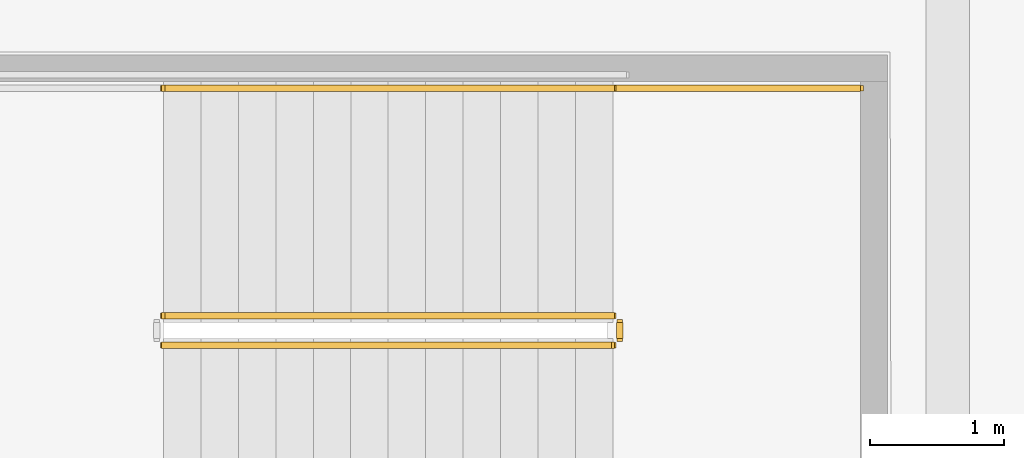
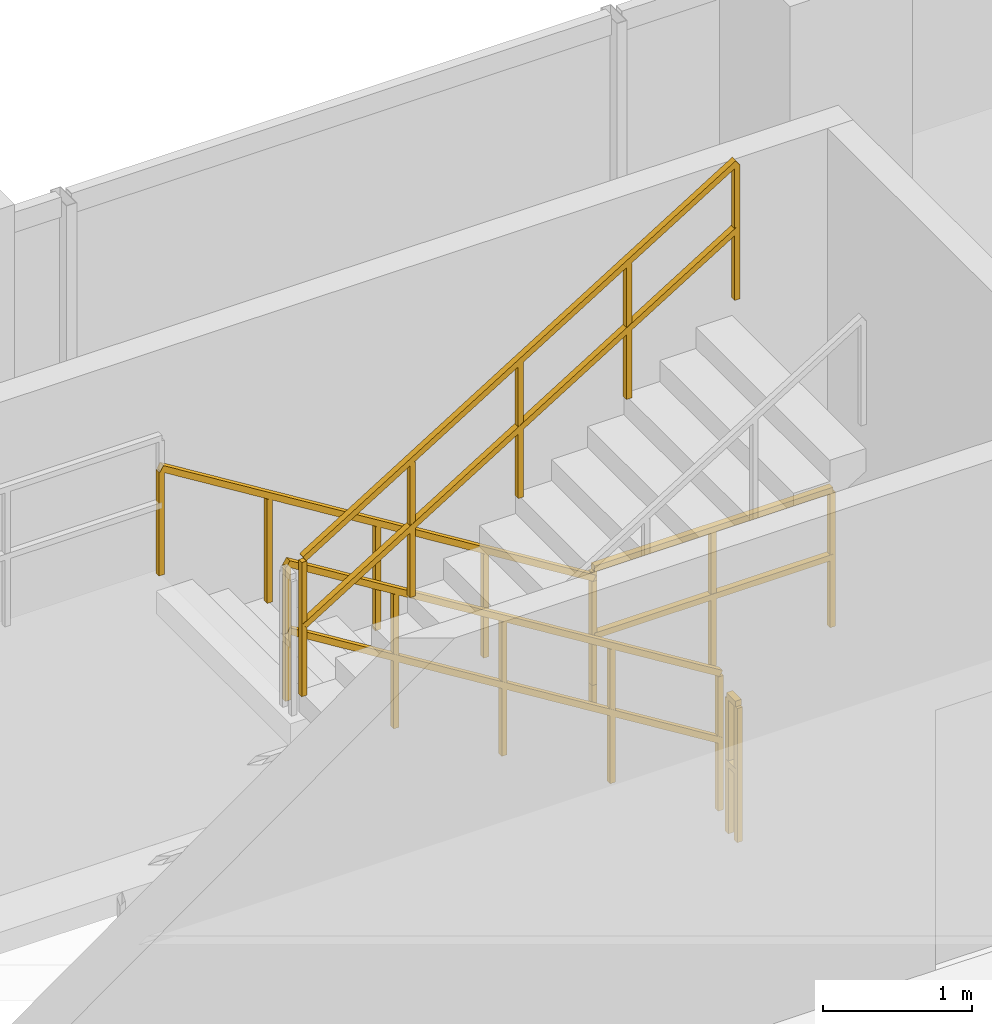
# One storey, part 36 of 36: 5 railings.
"""IFC4 building model written with IfcOpenShell, lengths in metres."""

from ifc_helpers import new_model, si_unit, direction, frame, origin, origin_2d, place, context, subcontext, project, spatial, rectangle, extrude, material, type_object, element, save


model = new_model("IFC4")

# Units and contexts
model_context = context("Model", 3, precision=1e-05, world=origin(), true_north=direction((-0.2419218956, 0.970295726276)))
body_context = subcontext(model_context, "Body", "Model", "MODEL_VIEW")
ifc_project = project(units=[si_unit("LENGTHUNIT", "METRE"), si_unit("AREAUNIT", "SQUARE_METRE"), si_unit("VOLUMEUNIT", "CUBIC_METRE"), si_unit("PLANEANGLEUNIT", "RADIAN"), si_unit("MASSUNIT", "GRAM", prefix="KILO")], contexts=[model_context])

# Site, building, storey
site_placement = place(None, origin())
site = spatial("IfcSite", under=ifc_project, at=site_placement, CompositionType="ELEMENT")
building_placement = place(site_placement, origin())
building = spatial("IfcBuilding", under=site, at=building_placement, Name="Cobrevalo Terracotta Tower", CompositionType="ELEMENT")
storey_placement = place(building_placement, frame((0.0, 0.0, 14.39990234375)))
storey = spatial("IfcBuildingStorey", under=building, at=storey_placement, Name="L03", CompositionType="ELEMENT", Elevation=14.39990234375)

# Railings
ifc_material_1 = material(Name="Brushed stainless steel", Category="steel")
railing_type_1 = type_object("IfcRailingType", Name="Stainless Steel Stair Handrail 900", PredefinedType="HANDRAIL", material=ifc_material_1)
railing_1_placement = place(storey_placement, frame((64.5, 49.469970703125, 0.173095703125)))
element("IfcRailing", 1, at=railing_1_placement, inside=storey, type_object=railing_type_1, Name="L03 ST-P2 stair handrail 1", PredefinedType="HANDRAIL", context=body_context, shape_type="SweptSolid", body=[
    extrude(rectangle(XDim=0.048095703125, YDim=0.048095703125, at=origin_2d()), frame((0.0, 0.0, 0.8759765625), z_axis=(-0.850623216509, 0.0, 0.525775754039), x_axis=(0.0, -1.0, 0.0)), (0.0, 0.0, 1.0), 3.9501953125),
    extrude(rectangle(XDim=0.0419921875, YDim=0.0419921875, at=origin_2d()), origin(), (0.0, 0.0, 1.0), 0.851806640625),
    extrude(rectangle(XDim=0.0419921875, YDim=0.0419921875, at=origin_2d()), frame((-0.840087890625, 0.0, 0.519287109375)), (0.0, 0.0, 1.0), 0.851806640625),
    extrude(rectangle(XDim=0.0419921875, YDim=0.0419921875, at=origin_2d()), frame((-1.68017578125, 0.0, 1.03857421875)), (0.0, 0.0, 1.0), 0.851806640625),
    extrude(rectangle(XDim=0.0419921875, YDim=0.0419921875, at=origin_2d()), frame((-2.52001953125, 0.0, 1.5576171875)), (0.0, 0.0, 1.0), 0.851806640625),
    extrude(rectangle(XDim=0.0419921875, YDim=0.0419921875, at=origin_2d()), frame((-3.360107421875, 0.0, 2.076904296875)), (0.0, 0.0, 1.0), 0.851806640625),
])
ifc_material_2 = material(Name="Painted galvanized steel", Category="steel")
railing_type_2 = type_object("IfcRailingType", Name="Stair Well Guard Balustrade 1150", PredefinedType="GUARDRAIL", material=ifc_material_2)
railing_2_placement = place(storey_placement, frame((64.5, 47.77001953125, 0.173095703125)))
element("IfcRailing", 2, at=railing_2_placement, inside=storey, type_object=railing_type_2, Name="L03 ST-P2 stair guard 1", PredefinedType="GUARDRAIL", context=body_context, shape_type="SweptSolid", body=[
    extrude(rectangle(XDim=0.048095703125, YDim=0.048095703125, at=origin_2d()), frame((0.0, 0.0, 1.1259765625), z_axis=(-0.850623216509, 0.0, 0.525775754039), x_axis=(0.0, -1.0, 0.0)), (0.0, 0.0, 1.0), 3.9501953125),
    extrude(rectangle(XDim=0.048095703125, YDim=0.048095703125, at=origin_2d()), frame((0.0, 0.0, 0.574951171875), z_axis=(-0.850623216509, 0.0, 0.525775754039), x_axis=(0.0, -1.0, 0.0)), (0.0, 0.0, 1.0), 3.9501953125),
    extrude(rectangle(XDim=0.0419921875, YDim=0.0419921875, at=origin_2d()), origin(), (0.0, 0.0, 1.0), 1.101806640625),
    extrude(rectangle(XDim=0.0419921875, YDim=0.0419921875, at=origin_2d()), frame((-0.840087890625, 0.0, 0.519287109375)), (0.0, 0.0, 1.0), 1.101806640625),
    extrude(rectangle(XDim=0.0419921875, YDim=0.0419921875, at=origin_2d()), frame((-1.68017578125, 0.0, 1.03857421875)), (0.0, 0.0, 1.0), 1.101806640625),
    extrude(rectangle(XDim=0.0419921875, YDim=0.0419921875, at=origin_2d()), frame((-2.52001953125, 0.0, 1.5576171875)), (0.0, 0.0, 1.0), 1.101806640625),
    extrude(rectangle(XDim=0.0419921875, YDim=0.0419921875, at=origin_2d()), frame((-3.360107421875, 0.0, 2.076904296875)), (0.0, 0.0, 1.0), 1.101806640625),
])
railing_3_placement = place(storey_placement, frame((61.139892578125, 47.550048828125, 2.423095703125)))
element("IfcRailing", 3, at=railing_3_placement, inside=storey, type_object=railing_type_2, Name="L03 ST-P2 stair guard 6", PredefinedType="GUARDRAIL", context=body_context, shape_type="SweptSolid", body=[
    extrude(rectangle(XDim=0.048095703125, YDim=0.048095703125, at=origin_2d()), frame((0.0, 0.0, 1.1259765625), z_axis=(0.850623216509, 0.0, 0.525775754039), x_axis=(0.0, 1.0, 0.0)), (0.0, 0.0, 1.0), 3.9501953125),
    extrude(rectangle(XDim=0.048095703125, YDim=0.048095703125, at=origin_2d()), frame((0.0, 0.0, 0.574951171875), z_axis=(0.850623216509, 0.0, 0.525775754039), x_axis=(0.0, 1.0, 0.0)), (0.0, 0.0, 1.0), 3.9501953125),
    extrude(rectangle(XDim=0.0419921875, YDim=0.0419921875, at=origin_2d()), origin(), (0.0, 0.0, 1.0), 1.101806640625),
    extrude(rectangle(XDim=0.0419921875, YDim=0.0419921875, at=origin_2d()), frame((0.840087890625, 0.0, 0.519287109375)), (0.0, 0.0, 1.0), 1.101806640625),
    extrude(rectangle(XDim=0.0419921875, YDim=0.0419921875, at=origin_2d()), frame((1.68017578125, 0.0, 1.03857421875)), (0.0, 0.0, 1.0), 1.101806640625),
    extrude(rectangle(XDim=0.0419921875, YDim=0.0419921875, at=origin_2d()), frame((2.52001953125, 0.0, 1.5576171875)), (0.0, 0.0, 1.0), 1.101806640625),
    extrude(rectangle(XDim=0.0419921875, YDim=0.0419921875, at=origin_2d()), frame((3.360107421875, 0.0, 2.076904296875)), (0.0, 0.0, 1.0), 1.101806640625),
])
railing_4_placement = place(storey_placement, frame((64.550048828125, 47.719970703125, 0.0)))
element("IfcRailing", 4, at=railing_4_placement, inside=storey, type_object=railing_type_2, Name="L03 ST-P2 stair guard 7", PredefinedType="GUARDRAIL", context=body_context, shape_type="SweptSolid", body=[
    extrude(rectangle(XDim=0.048095703125, YDim=0.048095703125, at=origin_2d()), frame((0.0, 0.0, 1.1259765625), z_axis=(0.0, -1.0, 0.0), x_axis=(1.0, 0.0, 0.0)), (0.0, 0.0, 1.0), 0.119873046875),
    extrude(rectangle(XDim=0.048095703125, YDim=0.048095703125, at=origin_2d()), frame((0.0, 0.0, 0.574951171875), z_axis=(0.0, -1.0, 0.0), x_axis=(1.0, 0.0, 0.0)), (0.0, 0.0, 1.0), 0.119873046875),
    extrude(rectangle(XDim=0.0419921875, YDim=0.0419921875, at=origin_2d()), origin(), (0.0, 0.0, 1.0), 1.101806640625),
    extrude(rectangle(XDim=0.0419921875, YDim=0.0419921875, at=origin_2d()), frame((0.0, -0.119873046875, 0.0)), (0.0, 0.0, 1.0), 1.101806640625),
])
railing_5_placement = place(storey_placement, frame((66.35009765625, 49.469970703125, 0.0)))
element("IfcRailing", 5, at=railing_5_placement, inside=storey, type_object=railing_type_2, Name="L03 ST-P2 stair guard 8", PredefinedType="GUARDRAIL", context=body_context, shape_type="SweptSolid", body=[
    extrude(rectangle(XDim=0.048095703125, YDim=0.048095703125, at=origin_2d()), frame((0.0, 0.0, 1.1259765625), z_axis=(-1.0, 0.0, 0.0), x_axis=(0.0, -1.0, 0.0)), (0.0, 0.0, 1.0), 1.85009765625),
    extrude(rectangle(XDim=0.048095703125, YDim=0.048095703125, at=origin_2d()), frame((0.0, 0.0, 0.574951171875), z_axis=(-1.0, 0.0, 0.0), x_axis=(0.0, -1.0, 0.0)), (0.0, 0.0, 1.0), 1.85009765625),
    extrude(rectangle(XDim=0.0419921875, YDim=0.0419921875, at=origin_2d()), origin(), (0.0, 0.0, 1.0), 1.101806640625),
    extrude(rectangle(XDim=0.0419921875, YDim=0.0419921875, at=origin_2d()), frame((-0.925048828125, 0.0, 0.0)), (0.0, 0.0, 1.0), 1.101806640625),
    extrude(rectangle(XDim=0.0419921875, YDim=0.0419921875, at=origin_2d()), frame((-1.85009765625, 0.0, 0.0)), (0.0, 0.0, 1.0), 1.101806640625),
])

save(model, "model.ifc")
